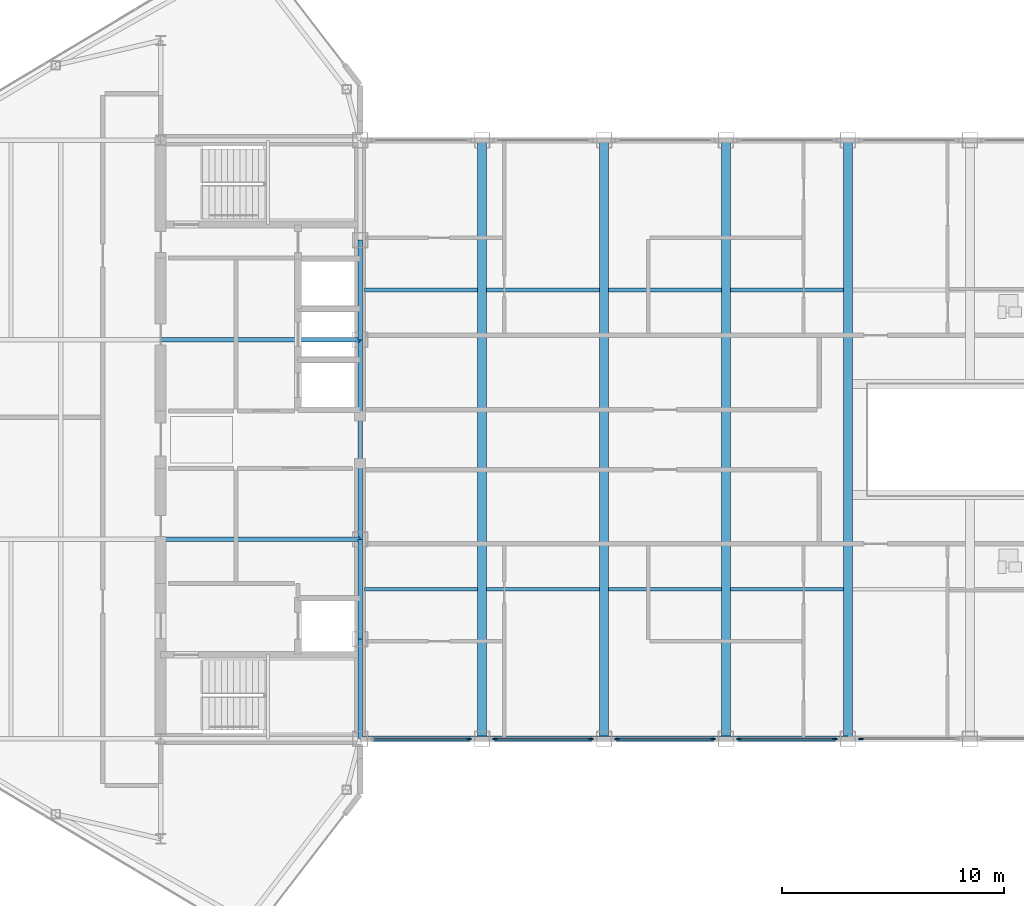
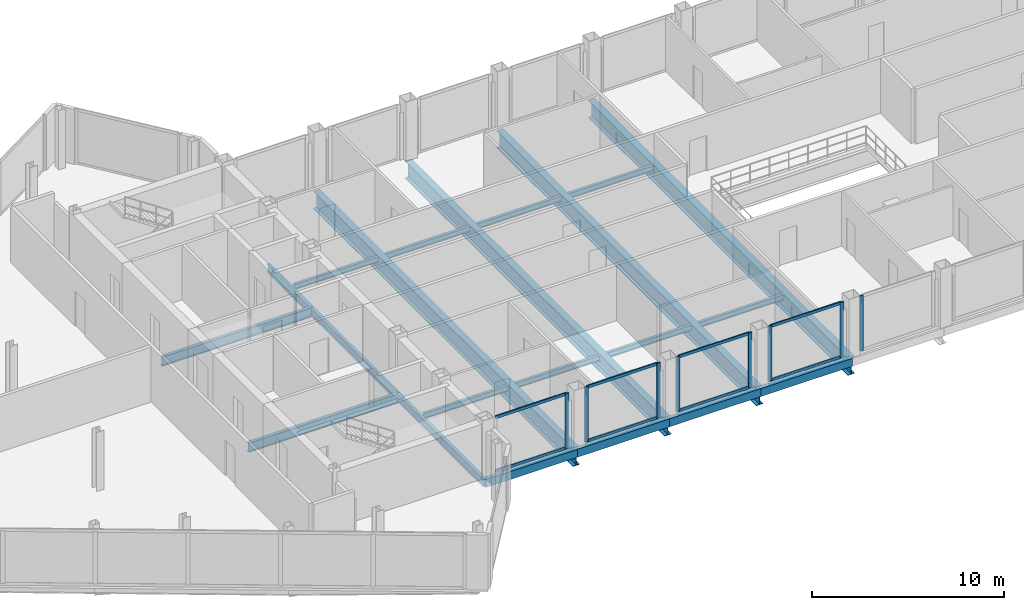
# One storey, part 10 of 28: 22 beams, 16 members, 5 elements without a shape of their own.
"""IFC4 building model written with IfcOpenShell, lengths in metres."""

from ifc_helpers import new_model, si_unit, direction, frame, origin, origin_2d, place, context, subcontext, project, spatial, rectangle, hollow_rectangle, i_section, extrude, source, transform, mapped, material, layer, layer_set, material_profile, profile_set, type_object, type_shapes, element, aggregate, save


model = new_model("IFC4")

# Units and contexts
model_context = context("Model", 3, precision=1e-05, world=origin(), true_north=direction((0.0, 1.0)))
body_context = subcontext(model_context, "Body", "Model", "MODEL_VIEW")
ifc_project = project(units=[si_unit("LENGTHUNIT", "METRE"), si_unit("AREAUNIT", "SQUARE_METRE"), si_unit("VOLUMEUNIT", "CUBIC_METRE"), si_unit("PLANEANGLEUNIT", "RADIAN"), si_unit("MASSUNIT", "GRAM", prefix="KILO")], contexts=[model_context])

# Site, building, storey
site_placement = place(None, origin())
site = spatial("IfcSite", under=ifc_project, at=site_placement, CompositionType="ELEMENT")
building_placement = place(site_placement, origin())
building = spatial("IfcBuilding", under=site, at=building_placement, Name="Seokmaru Belvedere", CompositionType="ELEMENT")
storey_placement = place(building_placement, frame((0.0, 0.0, 265.64990234375)))
storey = spatial("IfcBuildingStorey", under=building, at=storey_placement, Name="L70", CompositionType="ELEMENT", Elevation=265.64990234375)

# Beams
ifc_material_1 = material(Name="Steel SM355 (355 MPa)", Category="steel")
ifc_material_profile_1 = material_profile(ifc_material_1, i_section(OverallWidth=0.199951171875, OverallDepth=0.5, WebThickness=0.010009765625, FlangeThickness=0.01611328125, at=origin_2d()), Name="H-500x200x10x16")
ifc_profile_set_1 = profile_set([ifc_material_profile_1], Name="Steel SM355 (355 MPa)")
beam_type_1 = type_object("IfcBeamType", Name="Perimeter Spandrel Beam H-500", PredefinedType="SPANDREL", material=ifc_profile_set_1)
shared_shape_1 = source(origin(), body_context, "Body", "SweptSolid", [
    extrude(i_section(OverallWidth=0.199951171875, OverallDepth=0.5, WebThickness=0.010009765625, FlangeThickness=0.01611328125, at=origin_2d()), origin(), (0.0, 0.0, 1.0), 4.5),
])
for number, where, z_axis, x_axis, name in (
    (1, (-27.5, -13.5, -0.469970703125), (0.0, 1.0, 0.0), (-1.0, 0.0, 0.0), "L70 W Portal Spine Spandrel 1"),
    (2, (-27.5, -9.0, -0.469970703125), (0.0, 1.0, 0.0), (-1.0, 0.0, 0.0), "L70 W Portal Spine Spandrel 2"),
    (3, (-27.5, 4.5, -0.469970703125), (0.0, 1.0, 0.0), (-1.0, 0.0, 0.0), "L70 W Portal Spine Spandrel 4"),
):
    element("IfcBeam", number, at=place(storey_placement, frame(where, z_axis=z_axis, x_axis=x_axis)), inside=storey, type_object=beam_type_1, Name=name, PredefinedType="SPANDREL", context=body_context, shape_type="MappedRepresentation", body=[
        mapped(shared_shape_1, transform((0.0, 0.0, 0.0), scale=1.0)),
    ])
shared_shape_2 = source(origin(), body_context, "Body", "SweptSolid", [
    extrude(i_section(OverallWidth=0.199951171875, OverallDepth=0.5, WebThickness=0.010009765625, FlangeThickness=0.01611328125, at=origin_2d()), origin(), (0.0, 0.0, 1.0), 9.0),
])
type_shapes(beam_type_1, [shared_shape_1, shared_shape_2])
beam_placement = place(storey_placement, frame((-27.5, -4.5, -0.469970703125), z_axis=(0.0, 1.0, 0.0), x_axis=(-1.0, 0.0, 0.0)))
element("IfcBeam", 4, at=beam_placement, inside=storey, type_object=beam_type_1, Name="L70 W Portal Spine Spandrel 3", PredefinedType="SPANDREL", context=body_context, shape_type="MappedRepresentation", body=[
    mapped(shared_shape_2, transform((0.0, 0.0, 0.0), scale=1.0)),
])
ifc_material_profile_2 = material_profile(ifc_material_1, i_section(OverallWidth=0.199951171875, OverallDepth=0.60009765625, WebThickness=0.010986328125, FlangeThickness=0.01708984375, at=origin_2d()), Name="H-600x200x11x17")
ifc_profile_set_2 = profile_set([ifc_material_profile_2], Name="Steel SM355 (355 MPa)")
beam_type_2 = type_object("IfcBeamType", Name="Primary Floor Girder H-600", PredefinedType="BEAM", material=ifc_profile_set_2)
shared_shape_3 = source(origin(), body_context, "Body", "SweptSolid", [
    extrude(i_section(OverallWidth=0.199951171875, OverallDepth=0.60009765625, WebThickness=0.010986328125, FlangeThickness=0.01708984375, at=origin_2d()), origin(), (0.0, 0.0, 1.0), 9.0),
])
type_shapes(beam_type_2, [shared_shape_3])
for number, where, z_axis, x_axis, name in (
    (5, (-36.5, -4.5, -0.52001953125), (1.0, 0.0, 0.0), (0.0, 1.0, 0.0), "L70 W Core Tie Girder 2"),
    (6, (-36.5, 4.5, -0.52001953125), (1.0, 0.0, 0.0), (0.0, 1.0, 0.0), "L70 W Core Tie Girder 3"),
):
    element("IfcBeam", number, at=place(storey_placement, frame(where, z_axis=z_axis, x_axis=x_axis)), inside=storey, type_object=beam_type_2, Name=name, PredefinedType="BEAM", context=body_context, shape_type="MappedRepresentation", body=[
        mapped(shared_shape_3, transform((0.0, 0.0, 0.0), scale=1.0)),
    ])
ifc_material_profile_3 = material_profile(ifc_material_1, i_section(OverallWidth=0.39990234375, OverallDepth=1.10009765625, WebThickness=0.02001953125, FlangeThickness=0.033935546875, at=origin_2d()), Name="BH-1100x400x20x34")
ifc_profile_set_3 = profile_set([ifc_material_profile_3], Name="Steel SM355 (355 MPa)")
beam_type_3 = type_object("IfcBeamType", Name="Sky-Gate Transverse Girder BH-1100", PredefinedType="BEAM", material=ifc_profile_set_3)
shared_shape_4 = source(origin(), body_context, "Body", "SweptSolid", [
    extrude(i_section(OverallWidth=0.39990234375, OverallDepth=1.10009765625, WebThickness=0.02001953125, FlangeThickness=0.033935546875, at=origin_2d()), origin(), (0.0, 0.0, 1.0), 27.0),
])
type_shapes(beam_type_3, [shared_shape_4])
for number, where, z_axis, x_axis, name in (
    (7, (-22.0, -13.5, -0.77001953125), (0.0, 1.0, 0.0), (-1.0, 0.0, 0.0), "L70 Sky-Gate Transverse Girder 01"),
    (8, (-16.5, -13.5, -0.77001953125), (0.0, 1.0, 0.0), (-1.0, 0.0, 0.0), "L70 Sky-Gate Transverse Girder 02"),
    (9, (-11.0, -13.5, -0.77001953125), (0.0, 1.0, 0.0), (-1.0, 0.0, 0.0), "L70 Sky-Gate Transverse Girder 03"),
    (10, (-5.5, -13.5, -0.77001953125), (0.0, 1.0, 0.0), (-1.0, 0.0, 0.0), "L70 Sky-Gate Transverse Girder 04"),
):
    element("IfcBeam", number, at=place(storey_placement, frame(where, z_axis=z_axis, x_axis=x_axis)), inside=storey, type_object=beam_type_3, Name=name, PredefinedType="BEAM", context=body_context, shape_type="MappedRepresentation", body=[
        mapped(shared_shape_4, transform((0.0, 0.0, 0.0), scale=1.0)),
    ])
ifc_material_profile_4 = material_profile(ifc_material_1, i_section(OverallWidth=0.175048828125, OverallDepth=0.35009765625, WebThickness=0.007080078125, FlangeThickness=0.010986328125, at=origin_2d()), Name="H-350x175x7x11")
ifc_profile_set_4 = profile_set([ifc_material_profile_4], Name="Steel SM355 (355 MPa)")
beam_type_4 = type_object("IfcBeamType", Name="Secondary Floor Joist H-300", PredefinedType="JOIST", material=ifc_profile_set_4)
shared_shape_5 = source(origin(), body_context, "Body", "SweptSolid", [
    extrude(i_section(OverallWidth=0.175048828125, OverallDepth=0.35009765625, WebThickness=0.007080078125, FlangeThickness=0.010986328125, at=origin_2d()), origin(), (0.0, 0.0, 1.0), 5.08984375),
])
type_shapes(beam_type_4, [shared_shape_5])
for number, where, z_axis, x_axis, name in (
    (11, (-27.294921875, -6.75, -0.39501953125), (1.0, 0.0, 0.0), (0.0, 1.0, 0.0), "L70 Sky-Gate Secondary Joist S-01"),
    (12, (-21.794921875, -6.75, -0.39501953125), (1.0, 0.0, 0.0), (0.0, 1.0, 0.0), "L70 Sky-Gate Secondary Joist S-02"),
    (13, (-16.294921875, -6.75, -0.39501953125), (1.0, 0.0, 0.0), (0.0, 1.0, 0.0), "L70 Sky-Gate Secondary Joist S-03"),
    (14, (-10.794921875, -6.75, -0.39501953125), (1.0, 0.0, 0.0), (0.0, 1.0, 0.0), "L70 Sky-Gate Secondary Joist S-04"),
    (15, (-27.294921875, 6.75, -0.39501953125), (1.0, 0.0, 0.0), (0.0, 1.0, 0.0), "L70 Sky-Gate Secondary Joist N-01"),
    (16, (-21.794921875, 6.75, -0.39501953125), (1.0, 0.0, 0.0), (0.0, 1.0, 0.0), "L70 Sky-Gate Secondary Joist N-02"),
    (17, (-16.294921875, 6.75, -0.39501953125), (1.0, 0.0, 0.0), (0.0, 1.0, 0.0), "L70 Sky-Gate Secondary Joist N-03"),
    (18, (-10.794921875, 6.75, -0.39501953125), (1.0, 0.0, 0.0), (0.0, 1.0, 0.0), "L70 Sky-Gate Secondary Joist N-04"),
):
    element("IfcBeam", number, at=place(storey_placement, frame(where, z_axis=z_axis, x_axis=x_axis)), inside=storey, type_object=beam_type_4, Name=name, PredefinedType="JOIST", context=body_context, shape_type="MappedRepresentation", body=[
        mapped(shared_shape_5, transform((0.0, 0.0, 0.0), scale=1.0)),
    ])
ifc_material_profile_5 = material_profile(ifc_material_1, hollow_rectangle(XDim=0.25, YDim=0.5, WallThickness=0.013916015625, at=origin_2d()), Name="RHS-500x250x14")
ifc_profile_set_5 = profile_set([ifc_material_profile_5], Name="Steel SM355 (355 MPa)")
beam_type_5 = type_object("IfcBeamType", Name="Bridge Edge Spandrel RHS-500", PredefinedType="SPANDREL", material=ifc_profile_set_5)
shared_shape_6 = source(origin(), body_context, "Body", "SweptSolid", [
    extrude(hollow_rectangle(XDim=0.25, YDim=0.5, WallThickness=0.013916015625, at=origin_2d()), origin(), (0.0, 0.0, 1.0), 5.5),
])
type_shapes(beam_type_5, [shared_shape_6])
for number, where, z_axis, x_axis, name in (
    (19, (-27.5, -13.5, -0.469970703125), (1.0, 0.0, 0.0), (0.0, 1.0, 0.0), "L70 Sky-Gate Bridge Edge Girder S-01"),
    (20, (-22.0, -13.5, -0.469970703125), (1.0, 0.0, 0.0), (0.0, 1.0, 0.0), "L70 Sky-Gate Bridge Edge Girder S-02"),
    (21, (-16.5, -13.5, -0.469970703125), (1.0, 0.0, 0.0), (0.0, 1.0, 0.0), "L70 Sky-Gate Bridge Edge Girder S-03"),
    (22, (-11.0, -13.5, -0.469970703125), (1.0, 0.0, 0.0), (0.0, 1.0, 0.0), "L70 Sky-Gate Bridge Edge Girder S-04"),
):
    element("IfcBeam", number, at=place(storey_placement, frame(where, z_axis=z_axis, x_axis=x_axis)), inside=storey, type_object=beam_type_5, Name=name, PredefinedType="SPANDREL", context=body_context, shape_type="MappedRepresentation", body=[
        mapped(shared_shape_6, transform((0.0, 0.0, 0.0), scale=1.0)),
    ])

# Curtain wall, members
ifc_material_2 = material(Name="Bronze Triple Insulating Glass", Category="glass")
ifc_layer = layer(ifc_material_2, 0.219970703125)
ifc_layer_set = layer_set([ifc_layer], Name="Bronze Triple Insulating Glass")
curtain_wall_type = type_object("IfcCurtainWallType", Name="Sky-Gate Bridge Panorama Curtain Wall System CW-6", PredefinedType="NOTDEFINED", material=ifc_layer_set)
curtain_wall_1_placement = place(storey_placement, origin())
curtain_wall_1 = element("IfcCurtainWall", 23, at=curtain_wall_1_placement, inside=storey, type_object=curtain_wall_type, Name="L70 Curtain Wall BR_S01", PredefinedType="NOTDEFINED")
ifc_material_3 = material(Name="Anodised Bronze Aluminium", Category="aluminium")
ifc_material_profile_6 = material_profile(ifc_material_3, rectangle(XDim=0.074951171875, YDim=0.179931640625, at=origin_2d()), Name="CW-T-75x180")
ifc_profile_set_6 = profile_set([ifc_material_profile_6], Name="Anodised Bronze Aluminium")
member_type_1 = type_object("IfcMemberType", Name="Bronze Unitised Transom 75x180", PredefinedType="USERDEFINED", material=ifc_profile_set_6)
shared_shape_7 = source(origin(), body_context, "Body", "SweptSolid", [
    extrude(rectangle(XDim=0.074951171875, YDim=0.179931640625, at=origin_2d()), origin(), (0.0, 0.0, 1.0), 4.240234375),
])
type_shapes(member_type_1, [shared_shape_7])
member_1_placement = place(storey_placement, frame((-26.8701171875, -13.5, 0.03759765625), z_axis=(1.0, 0.0, 0.0), x_axis=(0.0, 1.0, 0.0)))
member_1 = element("IfcMember", 24, at=member_1_placement, type_object=member_type_1, Name="CW:L70:BR_S01 Continuous Transom 1", ObjectType="TRANSOM", PredefinedType="USERDEFINED", context=body_context, shape_type="MappedRepresentation", body=[
    mapped(shared_shape_7, transform((0.0, 0.0, 0.0), scale=1.0)),
])
member_2_placement = place(storey_placement, frame((-26.8701171875, -13.5, 3.45263671875), z_axis=(1.0, 0.0, 0.0), x_axis=(0.0, 1.0, 0.0)))
member_2 = element("IfcMember", 25, at=member_2_placement, type_object=member_type_1, Name="CW:L70:BR_S01 Continuous Transom 2", ObjectType="TRANSOM", PredefinedType="USERDEFINED", context=body_context, shape_type="MappedRepresentation", body=[
    mapped(shared_shape_7, transform((0.0, 0.0, 0.0), scale=1.0)),
])

curtain_wall_2_placement = place(storey_placement, origin())
curtain_wall_2 = element("IfcCurtainWall", 26, at=curtain_wall_2_placement, inside=storey, type_object=curtain_wall_type, Name="L70 Curtain Wall BR_S02", PredefinedType="NOTDEFINED")
member_3_placement = place(storey_placement, frame((-21.3701171875, -13.5, 0.03759765625), z_axis=(1.0, 0.0, 0.0), x_axis=(0.0, 1.0, 0.0)))
member_3 = element("IfcMember", 27, at=member_3_placement, type_object=member_type_1, Name="CW:L70:BR_S02 Continuous Transom 1", ObjectType="TRANSOM", PredefinedType="USERDEFINED", context=body_context, shape_type="MappedRepresentation", body=[
    mapped(shared_shape_7, transform((0.0, 0.0, 0.0), scale=1.0)),
])
member_4_placement = place(storey_placement, frame((-21.3701171875, -13.5, 3.45263671875), z_axis=(1.0, 0.0, 0.0), x_axis=(0.0, 1.0, 0.0)))
member_4 = element("IfcMember", 28, at=member_4_placement, type_object=member_type_1, Name="CW:L70:BR_S02 Continuous Transom 2", ObjectType="TRANSOM", PredefinedType="USERDEFINED", context=body_context, shape_type="MappedRepresentation", body=[
    mapped(shared_shape_7, transform((0.0, 0.0, 0.0), scale=1.0)),
])

curtain_wall_3_placement = place(storey_placement, origin())
curtain_wall_3 = element("IfcCurtainWall", 29, at=curtain_wall_3_placement, inside=storey, type_object=curtain_wall_type, Name="L70 Curtain Wall BR_S03", PredefinedType="NOTDEFINED")
member_5_placement = place(storey_placement, frame((-15.8701171875, -13.5, 0.03759765625), z_axis=(1.0, 0.0, 0.0), x_axis=(0.0, 1.0, 0.0)))
member_5 = element("IfcMember", 30, at=member_5_placement, type_object=member_type_1, Name="CW:L70:BR_S03 Continuous Transom 1", ObjectType="TRANSOM", PredefinedType="USERDEFINED", context=body_context, shape_type="MappedRepresentation", body=[
    mapped(shared_shape_7, transform((0.0, 0.0, 0.0), scale=1.0)),
])
member_6_placement = place(storey_placement, frame((-15.8701171875, -13.5, 3.45263671875), z_axis=(1.0, 0.0, 0.0), x_axis=(0.0, 1.0, 0.0)))
member_6 = element("IfcMember", 31, at=member_6_placement, type_object=member_type_1, Name="CW:L70:BR_S03 Continuous Transom 2", ObjectType="TRANSOM", PredefinedType="USERDEFINED", context=body_context, shape_type="MappedRepresentation", body=[
    mapped(shared_shape_7, transform((0.0, 0.0, 0.0), scale=1.0)),
])

curtain_wall_4_placement = place(storey_placement, origin())
curtain_wall_4 = element("IfcCurtainWall", 32, at=curtain_wall_4_placement, inside=storey, type_object=curtain_wall_type, Name="L70 Curtain Wall BR_S04", PredefinedType="NOTDEFINED")
member_7_placement = place(storey_placement, frame((-10.3701171875, -13.5, 0.03759765625), z_axis=(1.0, 0.0, 0.0), x_axis=(0.0, 1.0, 0.0)))
member_7 = element("IfcMember", 33, at=member_7_placement, type_object=member_type_1, Name="CW:L70:BR_S04 Continuous Transom 1", ObjectType="TRANSOM", PredefinedType="USERDEFINED", context=body_context, shape_type="MappedRepresentation", body=[
    mapped(shared_shape_7, transform((0.0, 0.0, 0.0), scale=1.0)),
])
member_8_placement = place(storey_placement, frame((-10.3701171875, -13.5, 3.45263671875), z_axis=(1.0, 0.0, 0.0), x_axis=(0.0, 1.0, 0.0)))
member_8 = element("IfcMember", 34, at=member_8_placement, type_object=member_type_1, Name="CW:L70:BR_S04 Continuous Transom 2", ObjectType="TRANSOM", PredefinedType="USERDEFINED", context=body_context, shape_type="MappedRepresentation", body=[
    mapped(shared_shape_7, transform((0.0, 0.0, 0.0), scale=1.0)),
])

# Member
ifc_material_profile_7 = material_profile(ifc_material_3, rectangle(XDim=0.080078125, YDim=0.219970703125, at=origin_2d()), Name="CW-M-80x220")
ifc_profile_set_7 = profile_set([ifc_material_profile_7], Name="Anodised Bronze Aluminium")
member_type_2 = type_object("IfcMemberType", Name="Bronze Unitised Mullion 80x220", PredefinedType="MULLION", material=ifc_profile_set_7)
shared_shape_8 = source(origin(), body_context, "Body", "SweptSolid", [
    extrude(rectangle(XDim=0.080078125, YDim=0.219970703125, at=origin_2d()), origin(), (0.0, 0.0, 1.0), 3.489990234375),
])
type_shapes(member_type_2, [shared_shape_8])
member_9_placement = place(storey_placement, frame((-22.590087890625, -13.5, 0.0), z_axis=(0.0, 0.0, 1.0), x_axis=(0.0, 1.0, 0.0)))
member_9 = element("IfcMember", 35, at=member_9_placement, type_object=member_type_2, Name="CW:L70:BR_S01 Mullion 2", PredefinedType="MULLION", context=body_context, shape_type="MappedRepresentation", body=[
    mapped(shared_shape_8, transform((0.0, 0.0, 0.0), scale=1.0)),
])

aggregate(curtain_wall_1, [member_9, member_1, member_2])

member_10_placement = place(storey_placement, frame((-21.409912109375, -13.5, 0.0), z_axis=(0.0, 0.0, 1.0), x_axis=(0.0, 1.0, 0.0)))
member_10 = element("IfcMember", 36, at=member_10_placement, type_object=member_type_2, Name="CW:L70:BR_S02 Mullion 1", PredefinedType="MULLION", context=body_context, shape_type="MappedRepresentation", body=[
    mapped(shared_shape_8, transform((0.0, 0.0, 0.0), scale=1.0)),
])

member_11_placement = place(storey_placement, frame((-17.090087890625, -13.5, 0.0), z_axis=(0.0, 0.0, 1.0), x_axis=(0.0, 1.0, 0.0)))
member_11 = element("IfcMember", 37, at=member_11_placement, type_object=member_type_2, Name="CW:L70:BR_S02 Mullion 2", PredefinedType="MULLION", context=body_context, shape_type="MappedRepresentation", body=[
    mapped(shared_shape_8, transform((0.0, 0.0, 0.0), scale=1.0)),
])

aggregate(curtain_wall_2, [member_10, member_11, member_3, member_4])

member_12_placement = place(storey_placement, frame((-15.909912109375, -13.5, 0.0), z_axis=(0.0, 0.0, 1.0), x_axis=(0.0, 1.0, 0.0)))
member_12 = element("IfcMember", 38, at=member_12_placement, type_object=member_type_2, Name="CW:L70:BR_S03 Mullion 1", PredefinedType="MULLION", context=body_context, shape_type="MappedRepresentation", body=[
    mapped(shared_shape_8, transform((0.0, 0.0, 0.0), scale=1.0)),
])

member_13_placement = place(storey_placement, frame((-11.590087890625, -13.5, 0.0), z_axis=(0.0, 0.0, 1.0), x_axis=(0.0, 1.0, 0.0)))
member_13 = element("IfcMember", 39, at=member_13_placement, type_object=member_type_2, Name="CW:L70:BR_S03 Mullion 2", PredefinedType="MULLION", context=body_context, shape_type="MappedRepresentation", body=[
    mapped(shared_shape_8, transform((0.0, 0.0, 0.0), scale=1.0)),
])

aggregate(curtain_wall_3, [member_12, member_13, member_5, member_6])

member_14_placement = place(storey_placement, frame((-10.409912109375, -13.5, 0.0), z_axis=(0.0, 0.0, 1.0), x_axis=(0.0, 1.0, 0.0)))
member_14 = element("IfcMember", 40, at=member_14_placement, type_object=member_type_2, Name="CW:L70:BR_S04 Mullion 1", PredefinedType="MULLION", context=body_context, shape_type="MappedRepresentation", body=[
    mapped(shared_shape_8, transform((0.0, 0.0, 0.0), scale=1.0)),
])

member_15_placement = place(storey_placement, frame((-6.090087890625, -13.5, 0.0), z_axis=(0.0, 0.0, 1.0), x_axis=(0.0, 1.0, 0.0)))
member_15 = element("IfcMember", 41, at=member_15_placement, type_object=member_type_2, Name="CW:L70:BR_S04 Mullion 2", PredefinedType="MULLION", context=body_context, shape_type="MappedRepresentation", body=[
    mapped(shared_shape_8, transform((0.0, 0.0, 0.0), scale=1.0)),
])

aggregate(curtain_wall_4, [member_14, member_15, member_7, member_8])

# Curtain wall, member
curtain_wall_5_placement = place(storey_placement, origin())
curtain_wall_5 = element("IfcCurtainWall", 42, at=curtain_wall_5_placement, inside=storey, type_object=curtain_wall_type, Name="L70 Curtain Wall BR_S05", PredefinedType="NOTDEFINED")
member_16_placement = place(storey_placement, frame((-4.909912109375, -13.5, 0.0), z_axis=(0.0, 0.0, 1.0), x_axis=(0.0, 1.0, 0.0)))
member_16 = element("IfcMember", 43, at=member_16_placement, type_object=member_type_2, Name="CW:L70:BR_S05 Mullion 1", PredefinedType="MULLION", context=body_context, shape_type="MappedRepresentation", body=[
    mapped(shared_shape_8, transform((0.0, 0.0, 0.0), scale=1.0)),
])
aggregate(curtain_wall_5, [member_16])

save(model, "model.ifc")
